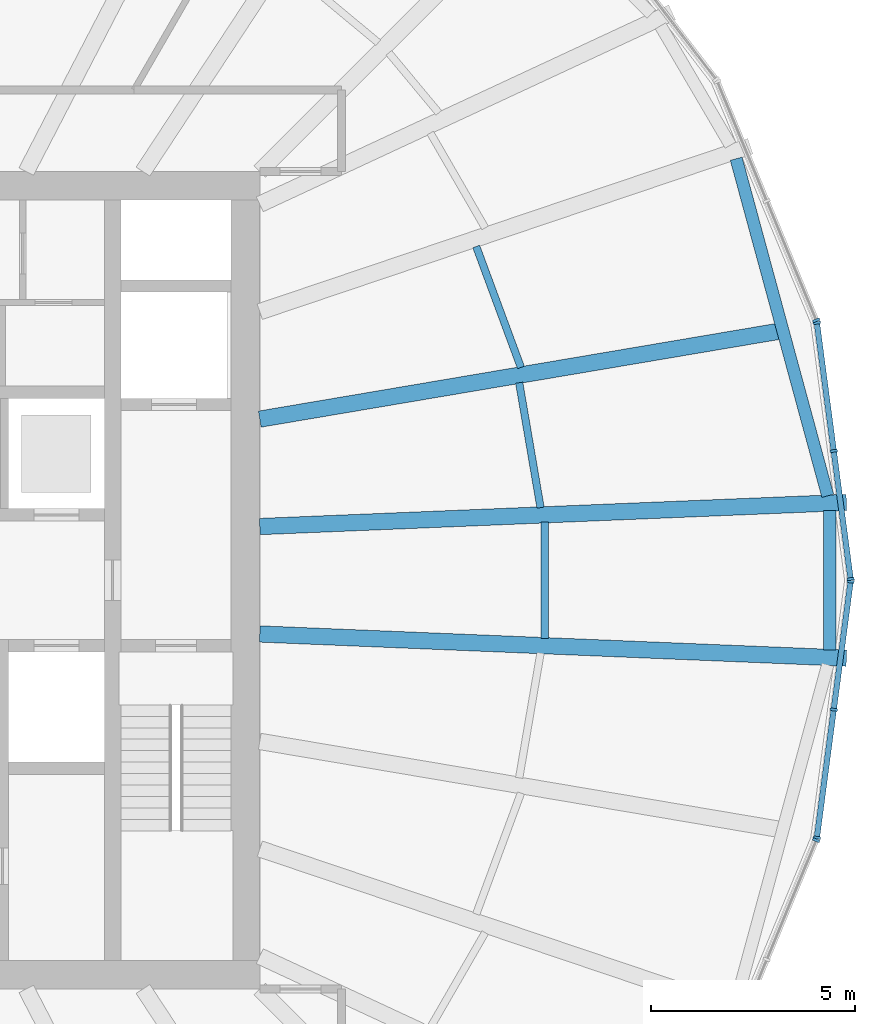
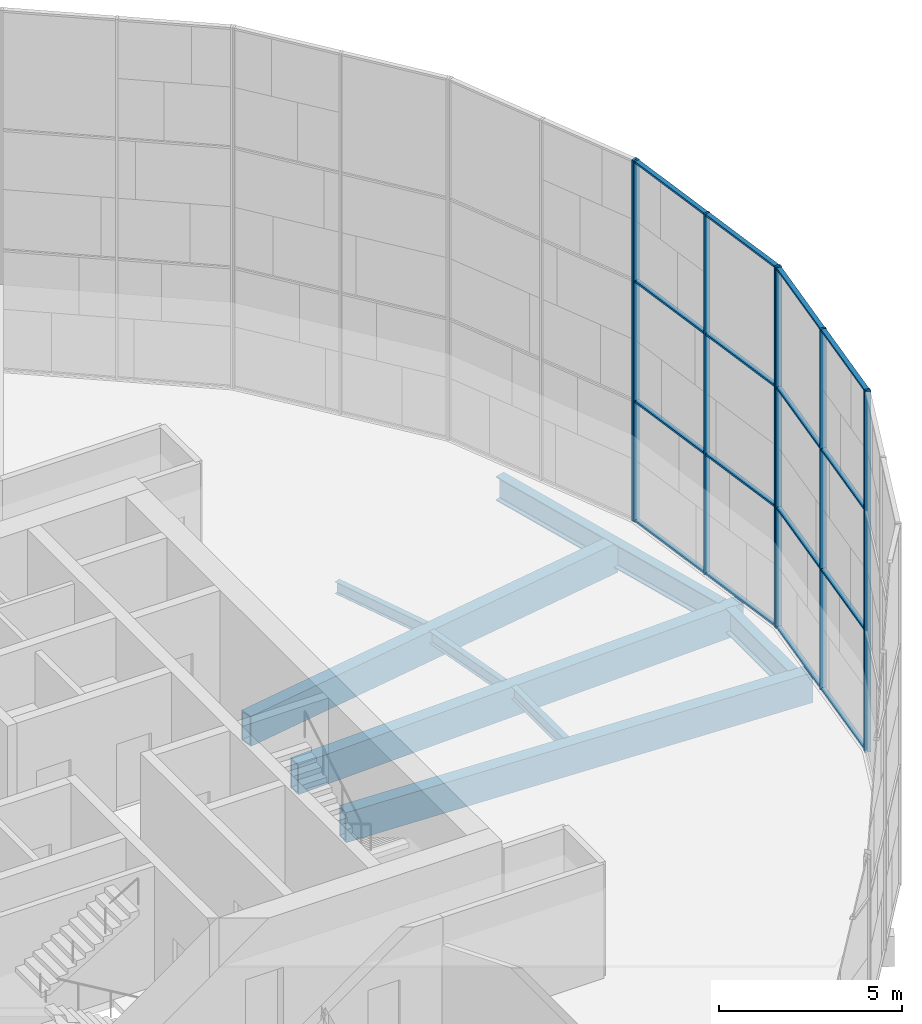
# One storey, part 5 of 22: 24 members, 8 beams, 4 elements without a shape of their own.
"""IFC4 building model written with IfcOpenShell, lengths in metres."""

from ifc_helpers import new_model, si_unit, direction, frame, origin, origin_2d, place, context, subcontext, project, spatial, rectangle, hollow_rectangle, i_section, extrude, material, material_profile, profile_set, type_object, element, aggregate, save


model = new_model("IFC4")

# Units and contexts
model_context = context("Model", 3, precision=1e-05, world=origin(), true_north=direction((0.0, 1.0)))
body_context = subcontext(model_context, "Body", "Model", "MODEL_VIEW")
ifc_project = project(units=[si_unit("LENGTHUNIT", "METRE"), si_unit("AREAUNIT", "SQUARE_METRE"), si_unit("VOLUMEUNIT", "CUBIC_METRE"), si_unit("PLANEANGLEUNIT", "RADIAN"), si_unit("MASSUNIT", "GRAM", prefix="KILO")], contexts=[model_context])

# Site, building, storey
site_placement = place(None, origin())
site = spatial("IfcSite", under=ifc_project, at=site_placement, CompositionType="ELEMENT")
building_placement = place(site_placement, origin())
building = spatial("IfcBuilding", under=site, at=building_placement, Name="Golbaran Civic Tower", CompositionType="ELEMENT")
storey_placement = place(building_placement, frame((0.0, 0.0, 90.0)))
storey = spatial("IfcBuildingStorey", under=building, at=storey_placement, Name="L21", CompositionType="ELEMENT", Elevation=90.0)

# Beams
ifc_material_1 = material(Name="Steel S355", Category="steel")
ifc_material_profile_1 = material_profile(ifc_material_1, i_section(OverallWidth=0.300048828125, OverallDepth=0.800048828125, WebThickness=0.017578125, FlangeThickness=0.032958984375, FilletRadius=0.030029296875, at=origin_2d()), Name="HEB 800")
ifc_profile_set_1 = profile_set([ifc_material_profile_1], Name="Steel S355")
beam_type_1 = type_object("IfcBeamType", Name="EDGE BEAM HEB 800", PredefinedType="BEAM", material=ifc_profile_set_1)
beam_1_placement = place(storey_placement, frame((23.89892578125, 2.066650390625, -0.60009765625), z_axis=(-0.262164981127, 0.965023068466, 0.0), x_axis=(-0.965023068466, -0.262164981127, 0.0)))
element("IfcBeam", 1, at=beam_1_placement, inside=storey, type_object=beam_type_1, Name="Edge beam 4.42 L21", PredefinedType="BEAM", context=body_context, shape_type="SweptSolid", body=[
    extrude(i_section(OverallWidth=0.300048828125, OverallDepth=0.800048828125, WebThickness=0.017578125, FlangeThickness=0.032958984375, FilletRadius=0.030029296875, at=origin_2d()), origin(), (0.0, 0.0, 1.0), 8.546875),
])
beam_2_placement = place(storey_placement, frame((23.947265625, -1.708251953125, -0.60009765625), z_axis=(0.0, 1.0, 0.0), x_axis=(-1.0, 0.0, 0.0)))
element("IfcBeam", 2, at=beam_2_placement, inside=storey, type_object=beam_type_1, Name="Edge beam 355.58 L21", PredefinedType="BEAM", context=body_context, shape_type="SweptSolid", body=[
    extrude(i_section(OverallWidth=0.300048828125, OverallDepth=0.800048828125, WebThickness=0.017578125, FlangeThickness=0.032958984375, FilletRadius=0.030029296875, at=origin_2d()), origin(), (0.0, 0.0, 1.0), 3.41650390625),
])
ifc_material_profile_2 = material_profile(ifc_material_1, i_section(OverallWidth=0.179931640625, OverallDepth=0.39990234375, WebThickness=0.008544921875, FlangeThickness=0.013427734375, FilletRadius=0.02099609375, at=origin_2d()), Name="IPE 400")
ifc_profile_set_2 = profile_set([ifc_material_profile_2], Name="Steel S355")
beam_type_2 = type_object("IfcBeamType", Name="FLOOR INFILL BEAM IPE 400", PredefinedType="BEAM", material=ifc_profile_set_2)
beam_3_placement = place(storey_placement, frame((16.871337890625, 1.77734375, -0.39990234375), z_axis=(-0.168673252572, 0.985672021449, 0.0), x_axis=(-0.985672021449, -0.168673252572, 0.0)))
element("IfcBeam", 3, at=beam_3_placement, inside=storey, type_object=beam_type_2, Name="Infill beam 9.71 L21", PredefinedType="BEAM", context=body_context, shape_type="SweptSolid", body=[
    extrude(i_section(OverallWidth=0.179931640625, OverallDepth=0.39990234375, WebThickness=0.008544921875, FlangeThickness=0.013427734375, FilletRadius=0.02099609375, at=origin_2d()), origin(), (0.0, 0.0, 1.0), 3.101806640625),
])
beam_4_placement = place(storey_placement, frame((16.391357421875, 5.207275390625, -0.39990234375), z_axis=(-0.346755155412, 0.937955682426, 0.0), x_axis=(-0.937955682426, -0.346755155412, 0.0)))
element("IfcBeam", 4, at=beam_4_placement, inside=storey, type_object=beam_type_2, Name="Infill beam 20.29 L21", PredefinedType="BEAM", context=body_context, shape_type="SweptSolid", body=[
    extrude(i_section(OverallWidth=0.179931640625, OverallDepth=0.39990234375, WebThickness=0.008544921875, FlangeThickness=0.013427734375, FilletRadius=0.02099609375, at=origin_2d()), origin(), (0.0, 0.0, 1.0), 3.156982421875),
])
beam_5_placement = place(storey_placement, frame((16.9736328125, -1.421142578125, -0.39990234375), z_axis=(0.0, 1.0, 0.0), x_axis=(-1.0, 0.0, 0.0)))
element("IfcBeam", 5, at=beam_5_placement, inside=storey, type_object=beam_type_2, Name="Infill beam 0.00 L21", PredefinedType="BEAM", context=body_context, shape_type="SweptSolid", body=[
    extrude(i_section(OverallWidth=0.179931640625, OverallDepth=0.39990234375, WebThickness=0.008544921875, FlangeThickness=0.013427734375, FilletRadius=0.02099609375, at=origin_2d()), origin(), (0.0, 0.0, 1.0), 2.84228515625),
])

# Curtain wall, members
ifc_material_2 = material(Name="Aluminium and glass", Category="aluminium")
curtain_wall_type = type_object("IfcCurtainWallType", Name="INNER SKIN CURTAIN WALL", PredefinedType="NOTDEFINED", material=ifc_material_2)
curtain_wall_1_placement = place(storey_placement, origin())
curtain_wall_1 = element("IfcCurtainWall", 6, at=curtain_wall_1_placement, inside=storey, type_object=curtain_wall_type, Name="Inner skin L21 facet 1 CW1", ObjectType="INNER SKIN", PredefinedType="USERDEFINED")
ifc_material_3 = material(Name="Aluminium", Category="aluminium")
ifc_material_profile_3 = material_profile(ifc_material_3, rectangle(XDim=0.179931640625, YDim=0.06494140625, at=origin_2d()), Name="INNER SKIN CURTAIN WALL MULLION")
ifc_profile_set_3 = profile_set([ifc_material_profile_3], Name="Aluminium")
member_type_1 = type_object("IfcMemberType", Name="INNER SKIN CURTAIN WALL MULLION", PredefinedType="MULLION", material=ifc_profile_set_3)
member_1_placement = place(storey_placement, frame((24.456787109375, 0.0322265625, 0.0), z_axis=(0.0, 0.0, 1.0), x_axis=(-0.991444861376, -0.130526192203, 0.0)))
member_1 = element("IfcMember", 7, at=member_1_placement, type_object=member_type_1, Name="CW1 mullion 1", PredefinedType="MULLION", context=body_context, shape_type="SweptSolid", body=[
    extrude(rectangle(XDim=0.179931640625, YDim=0.06494140625, at=origin_2d()), origin(), (0.0, 0.0, 1.0), 12.0),
])
member_2_placement = place(storey_placement, frame((24.044189453125, 3.16552734375, 0.0), z_axis=(0.0, 0.0, 1.0), x_axis=(-0.991444861376, -0.130526192203, 0.0)))
member_2 = element("IfcMember", 8, at=member_2_placement, type_object=member_type_1, Name="CW1 mullion 2", PredefinedType="MULLION", context=body_context, shape_type="SweptSolid", body=[
    extrude(rectangle(XDim=0.179931640625, YDim=0.06494140625, at=origin_2d()), origin(), (0.0, 0.0, 1.0), 12.0),
])
member_3_placement = place(storey_placement, frame((23.6318359375, 6.298828125, 0.0), z_axis=(0.0, 0.0, 1.0), x_axis=(-0.991444861376, -0.130526192203, 0.0)))
member_3 = element("IfcMember", 9, at=member_3_placement, type_object=member_type_1, Name="CW1 mullion 3", PredefinedType="MULLION", context=body_context, shape_type="SweptSolid", body=[
    extrude(rectangle(XDim=0.179931640625, YDim=0.06494140625, at=origin_2d()), origin(), (0.0, 0.0, 1.0), 12.0),
])

# Curtain wall, member
curtain_wall_2_placement = place(storey_placement, origin())
curtain_wall_2 = element("IfcCurtainWall", 10, at=curtain_wall_2_placement, inside=storey, type_object=curtain_wall_type, Name="Inner skin L21 facet 2 CW1", ObjectType="INNER SKIN", PredefinedType="USERDEFINED")
member_4_placement = place(storey_placement, frame((23.614990234375, 6.361083984375, 0.0), z_axis=(0.0, 0.0, 1.0), x_axis=(-0.923879532511, -0.382683432365, 0.0)))
member_4 = element("IfcMember", 11, at=member_4_placement, type_object=member_type_1, Name="CW1 mullion 1", PredefinedType="MULLION", context=body_context, shape_type="SweptSolid", body=[
    extrude(rectangle(XDim=0.179931640625, YDim=0.06494140625, at=origin_2d()), origin(), (0.0, 0.0, 1.0), 12.0),
])
aggregate(curtain_wall_2, [member_4])

curtain_wall_3_placement = place(storey_placement, origin())
curtain_wall_3 = element("IfcCurtainWall", 12, at=curtain_wall_3_placement, inside=storey, type_object=curtain_wall_type, Name="Inner skin L21 facet 23 CW1", ObjectType="INNER SKIN", PredefinedType="USERDEFINED")
member_5_placement = place(storey_placement, frame((23.614990234375, -6.361083984375, 0.0), z_axis=(0.0, 0.0, 1.0), x_axis=(-0.923879532511, 0.382683432365, 0.0)))
member_5 = element("IfcMember", 13, at=member_5_placement, type_object=member_type_1, Name="CW1 mullion 3", PredefinedType="MULLION", context=body_context, shape_type="SweptSolid", body=[
    extrude(rectangle(XDim=0.179931640625, YDim=0.06494140625, at=origin_2d()), origin(), (0.0, 0.0, 1.0), 12.0),
])
aggregate(curtain_wall_3, [member_5])

# Curtain wall, members
curtain_wall_4_placement = place(storey_placement, origin())
curtain_wall_4 = element("IfcCurtainWall", 14, at=curtain_wall_4_placement, inside=storey, type_object=curtain_wall_type, Name="Inner skin L21 facet 24 CW1", ObjectType="INNER SKIN", PredefinedType="USERDEFINED")
member_6_placement = place(storey_placement, frame((23.6318359375, -6.298828125, 0.0), z_axis=(0.0, 0.0, 1.0), x_axis=(-0.991444861376, 0.130526192203, 0.0)))
member_6 = element("IfcMember", 15, at=member_6_placement, type_object=member_type_1, Name="CW1 mullion 1", PredefinedType="MULLION", context=body_context, shape_type="SweptSolid", body=[
    extrude(rectangle(XDim=0.179931640625, YDim=0.06494140625, at=origin_2d()), origin(), (0.0, 0.0, 1.0), 12.0),
])
member_7_placement = place(storey_placement, frame((24.044189453125, -3.16552734375, 0.0), z_axis=(0.0, 0.0, 1.0), x_axis=(-0.991444861376, 0.130526192203, 0.0)))
member_7 = element("IfcMember", 16, at=member_7_placement, type_object=member_type_1, Name="CW1 mullion 2", PredefinedType="MULLION", context=body_context, shape_type="SweptSolid", body=[
    extrude(rectangle(XDim=0.179931640625, YDim=0.06494140625, at=origin_2d()), origin(), (0.0, 0.0, 1.0), 12.0),
])
member_8_placement = place(storey_placement, frame((24.456787109375, -0.0322265625, 0.0), z_axis=(0.0, 0.0, 1.0), x_axis=(-0.991444861376, 0.130526192203, 0.0)))
member_8 = element("IfcMember", 17, at=member_8_placement, type_object=member_type_1, Name="CW1 mullion 3", PredefinedType="MULLION", context=body_context, shape_type="SweptSolid", body=[
    extrude(rectangle(XDim=0.179931640625, YDim=0.06494140625, at=origin_2d()), origin(), (0.0, 0.0, 1.0), 12.0),
])

# Member
ifc_material_profile_4 = material_profile(ifc_material_3, rectangle(XDim=0.139892578125, YDim=0.06494140625, at=origin_2d()), Name="INNER SKIN CURTAIN WALL TRANSOM")
ifc_profile_set_4 = profile_set([ifc_material_profile_4], Name="Aluminium")
member_type_2 = type_object("IfcMemberType", Name="INNER SKIN CURTAIN WALL TRANSOM", PredefinedType="USERDEFINED", material=ifc_profile_set_4)
member_9_placement = place(storey_placement, frame((24.45263671875, 0.064453125, 0.032470703125), z_axis=(-0.130536124221, 0.99144355375, 0.0), x_axis=(-0.99144355375, -0.130536124221, 0.0)))
member_9 = element("IfcMember", 18, at=member_9_placement, type_object=member_type_2, Name="CW1 transom 1.1", ObjectType="TRANSOM", PredefinedType="USERDEFINED", context=body_context, shape_type="SweptSolid", body=[
    extrude(rectangle(XDim=0.139892578125, YDim=0.06494140625, at=origin_2d()), origin(), (0.0, 0.0, 1.0), 3.09521484375),
])

member_10_placement = place(storey_placement, frame((24.45263671875, 0.064453125, 4.0), z_axis=(-0.130536124221, 0.99144355375, 0.0), x_axis=(-0.99144355375, -0.130536124221, 0.0)))
member_10 = element("IfcMember", 19, at=member_10_placement, type_object=member_type_2, Name="CW1 transom 1.2", ObjectType="TRANSOM", PredefinedType="USERDEFINED", context=body_context, shape_type="SweptSolid", body=[
    extrude(rectangle(XDim=0.139892578125, YDim=0.06494140625, at=origin_2d()), origin(), (0.0, 0.0, 1.0), 3.09521484375),
])

member_11_placement = place(storey_placement, frame((24.45263671875, 0.064453125, 8.0), z_axis=(-0.130536124221, 0.99144355375, 0.0), x_axis=(-0.99144355375, -0.130536124221, 0.0)))
member_11 = element("IfcMember", 20, at=member_11_placement, type_object=member_type_2, Name="CW1 transom 1.3", ObjectType="TRANSOM", PredefinedType="USERDEFINED", context=body_context, shape_type="SweptSolid", body=[
    extrude(rectangle(XDim=0.139892578125, YDim=0.06494140625, at=origin_2d()), origin(), (0.0, 0.0, 1.0), 3.09521484375),
])

member_12_placement = place(storey_placement, frame((24.45263671875, 0.064453125, 11.967529296875), z_axis=(-0.130536124221, 0.99144355375, 0.0), x_axis=(-0.99144355375, -0.130536124221, 0.0)))
member_12 = element("IfcMember", 21, at=member_12_placement, type_object=member_type_2, Name="CW1 transom 1.4", ObjectType="TRANSOM", PredefinedType="USERDEFINED", context=body_context, shape_type="SweptSolid", body=[
    extrude(rectangle(XDim=0.139892578125, YDim=0.06494140625, at=origin_2d()), origin(), (0.0, 0.0, 1.0), 3.09521484375),
])

member_13_placement = place(storey_placement, frame((24.0400390625, 3.19775390625, 0.032470703125), z_axis=(-0.130536124221, 0.99144355375, 0.0), x_axis=(-0.99144355375, -0.130536124221, 0.0)))
member_13 = element("IfcMember", 22, at=member_13_placement, type_object=member_type_2, Name="CW1 transom 2.1", ObjectType="TRANSOM", PredefinedType="USERDEFINED", context=body_context, shape_type="SweptSolid", body=[
    extrude(rectangle(XDim=0.139892578125, YDim=0.06494140625, at=origin_2d()), origin(), (0.0, 0.0, 1.0), 3.09521484375),
])

member_14_placement = place(storey_placement, frame((24.0400390625, 3.19775390625, 4.0), z_axis=(-0.130536124221, 0.99144355375, 0.0), x_axis=(-0.99144355375, -0.130536124221, 0.0)))
member_14 = element("IfcMember", 23, at=member_14_placement, type_object=member_type_2, Name="CW1 transom 2.2", ObjectType="TRANSOM", PredefinedType="USERDEFINED", context=body_context, shape_type="SweptSolid", body=[
    extrude(rectangle(XDim=0.139892578125, YDim=0.06494140625, at=origin_2d()), origin(), (0.0, 0.0, 1.0), 3.09521484375),
])

member_15_placement = place(storey_placement, frame((24.0400390625, 3.19775390625, 8.0), z_axis=(-0.130536124221, 0.99144355375, 0.0), x_axis=(-0.99144355375, -0.130536124221, 0.0)))
member_15 = element("IfcMember", 24, at=member_15_placement, type_object=member_type_2, Name="CW1 transom 2.3", ObjectType="TRANSOM", PredefinedType="USERDEFINED", context=body_context, shape_type="SweptSolid", body=[
    extrude(rectangle(XDim=0.139892578125, YDim=0.06494140625, at=origin_2d()), origin(), (0.0, 0.0, 1.0), 3.09521484375),
])

member_16_placement = place(storey_placement, frame((24.0400390625, 3.19775390625, 11.967529296875), z_axis=(-0.130536124221, 0.99144355375, 0.0), x_axis=(-0.99144355375, -0.130536124221, 0.0)))
member_16 = element("IfcMember", 25, at=member_16_placement, type_object=member_type_2, Name="CW1 transom 2.4", ObjectType="TRANSOM", PredefinedType="USERDEFINED", context=body_context, shape_type="SweptSolid", body=[
    extrude(rectangle(XDim=0.139892578125, YDim=0.06494140625, at=origin_2d()), origin(), (0.0, 0.0, 1.0), 3.09521484375),
])

aggregate(curtain_wall_1, [member_1, member_2, member_3, member_9, member_10, member_11, member_12, member_13, member_14, member_15, member_16])

member_17_placement = place(storey_placement, frame((23.635986328125, -6.2666015625, 0.032470703125), z_axis=(0.130536124221, 0.99144355375, 0.0), x_axis=(-0.99144355375, 0.130536124221, 0.0)))
member_17 = element("IfcMember", 26, at=member_17_placement, type_object=member_type_2, Name="CW1 transom 1.1", ObjectType="TRANSOM", PredefinedType="USERDEFINED", context=body_context, shape_type="SweptSolid", body=[
    extrude(rectangle(XDim=0.139892578125, YDim=0.06494140625, at=origin_2d()), origin(), (0.0, 0.0, 1.0), 3.09521484375),
])

member_18_placement = place(storey_placement, frame((23.635986328125, -6.2666015625, 4.0), z_axis=(0.130536124221, 0.99144355375, 0.0), x_axis=(-0.99144355375, 0.130536124221, 0.0)))
member_18 = element("IfcMember", 27, at=member_18_placement, type_object=member_type_2, Name="CW1 transom 1.2", ObjectType="TRANSOM", PredefinedType="USERDEFINED", context=body_context, shape_type="SweptSolid", body=[
    extrude(rectangle(XDim=0.139892578125, YDim=0.06494140625, at=origin_2d()), origin(), (0.0, 0.0, 1.0), 3.09521484375),
])

member_19_placement = place(storey_placement, frame((23.635986328125, -6.2666015625, 8.0), z_axis=(0.130536124221, 0.99144355375, 0.0), x_axis=(-0.99144355375, 0.130536124221, 0.0)))
member_19 = element("IfcMember", 28, at=member_19_placement, type_object=member_type_2, Name="CW1 transom 1.3", ObjectType="TRANSOM", PredefinedType="USERDEFINED", context=body_context, shape_type="SweptSolid", body=[
    extrude(rectangle(XDim=0.139892578125, YDim=0.06494140625, at=origin_2d()), origin(), (0.0, 0.0, 1.0), 3.09521484375),
])

member_20_placement = place(storey_placement, frame((23.635986328125, -6.2666015625, 11.967529296875), z_axis=(0.130536124221, 0.99144355375, 0.0), x_axis=(-0.99144355375, 0.130536124221, 0.0)))
member_20 = element("IfcMember", 29, at=member_20_placement, type_object=member_type_2, Name="CW1 transom 1.4", ObjectType="TRANSOM", PredefinedType="USERDEFINED", context=body_context, shape_type="SweptSolid", body=[
    extrude(rectangle(XDim=0.139892578125, YDim=0.06494140625, at=origin_2d()), origin(), (0.0, 0.0, 1.0), 3.09521484375),
])

member_21_placement = place(storey_placement, frame((24.048583984375, -3.13330078125, 0.032470703125), z_axis=(0.130536124221, 0.99144355375, 0.0), x_axis=(-0.99144355375, 0.130536124221, 0.0)))
member_21 = element("IfcMember", 30, at=member_21_placement, type_object=member_type_2, Name="CW1 transom 2.1", ObjectType="TRANSOM", PredefinedType="USERDEFINED", context=body_context, shape_type="SweptSolid", body=[
    extrude(rectangle(XDim=0.139892578125, YDim=0.06494140625, at=origin_2d()), origin(), (0.0, 0.0, 1.0), 3.09521484375),
])

member_22_placement = place(storey_placement, frame((24.048583984375, -3.13330078125, 4.0), z_axis=(0.130536124221, 0.99144355375, 0.0), x_axis=(-0.99144355375, 0.130536124221, 0.0)))
member_22 = element("IfcMember", 31, at=member_22_placement, type_object=member_type_2, Name="CW1 transom 2.2", ObjectType="TRANSOM", PredefinedType="USERDEFINED", context=body_context, shape_type="SweptSolid", body=[
    extrude(rectangle(XDim=0.139892578125, YDim=0.06494140625, at=origin_2d()), origin(), (0.0, 0.0, 1.0), 3.09521484375),
])

member_23_placement = place(storey_placement, frame((24.048583984375, -3.13330078125, 8.0), z_axis=(0.130536124221, 0.99144355375, 0.0), x_axis=(-0.99144355375, 0.130536124221, 0.0)))
member_23 = element("IfcMember", 32, at=member_23_placement, type_object=member_type_2, Name="CW1 transom 2.3", ObjectType="TRANSOM", PredefinedType="USERDEFINED", context=body_context, shape_type="SweptSolid", body=[
    extrude(rectangle(XDim=0.139892578125, YDim=0.06494140625, at=origin_2d()), origin(), (0.0, 0.0, 1.0), 3.09521484375),
])

member_24_placement = place(storey_placement, frame((24.048583984375, -3.13330078125, 11.967529296875), z_axis=(0.130536124221, 0.99144355375, 0.0), x_axis=(-0.99144355375, 0.130536124221, 0.0)))
member_24 = element("IfcMember", 33, at=member_24_placement, type_object=member_type_2, Name="CW1 transom 2.4", ObjectType="TRANSOM", PredefinedType="USERDEFINED", context=body_context, shape_type="SweptSolid", body=[
    extrude(rectangle(XDim=0.139892578125, YDim=0.06494140625, at=origin_2d()), origin(), (0.0, 0.0, 1.0), 3.09521484375),
])

aggregate(curtain_wall_4, [member_6, member_7, member_8, member_17, member_18, member_19, member_20, member_21, member_22, member_23, member_24])

# Beams
ifc_material_profile_5 = material_profile(ifc_material_1, hollow_rectangle(XDim=0.39990234375, YDim=1.0, WallThickness=0.050048828125, at=origin_2d()), Name="BOX 1000x400x50")
ifc_profile_set_5 = profile_set([ifc_material_profile_5], Name="Steel S355")
beam_type_3 = type_object("IfcBeamType", Name="RADIAL FLOOR BEAM BOX 1000x400x50", PredefinedType="BEAM", material=ifc_profile_set_5)
for number, where, z_axis, x_axis, name in (
    (34, (10.0, 1.314208984375, -0.7099609375), (0.99915350641, 0.041137217085, 0.0), (-0.041137217085, 0.99915350641, 0.0), "Radial beam 4.42 L21"),
    (35, (10.0, -1.314208984375, -0.7099609375), (0.99915350641, -0.041137217085, 0.0), (0.041137217085, 0.99915350641, 0.0), "Radial beam 355.58 L21"),
):
    element("IfcBeam", number, at=place(storey_placement, frame(where, z_axis=z_axis, x_axis=x_axis)), inside=storey, type_object=beam_type_3, Name=name, PredefinedType="BEAM", context=body_context, shape_type="SweptSolid", body=[
        extrude(hollow_rectangle(XDim=0.39990234375, YDim=1.0, WallThickness=0.050048828125, at=origin_2d()), origin(), (0.0, 0.0, 1.0), 14.3681640625),
    ])
ifc_material_profile_6 = material_profile(ifc_material_1, hollow_rectangle(XDim=0.39990234375, YDim=1.0, WallThickness=0.0400390625, at=origin_2d()), Name="BOX 1000x400x40")
ifc_profile_set_6 = profile_set([ifc_material_profile_6], Name="Steel S355")
beam_type_4 = type_object("IfcBeamType", Name="SECONDARY FLOOR BEAM BOX 1000x400x40", PredefinedType="BEAM", material=ifc_profile_set_6)
beam_6_placement = place(storey_placement, frame((10.0, 3.94287109375, -0.7099609375), z_axis=(0.985977601057, 0.166877710358, 0.0), x_axis=(-0.166877710358, 0.985977601057, 0.0)))
element("IfcBeam", 36, at=beam_6_placement, inside=storey, type_object=beam_type_4, Name="Secondary beam 15.00 L21", PredefinedType="BEAM", context=body_context, shape_type="SweptSolid", body=[
    extrude(hollow_rectangle(XDim=0.39990234375, YDim=1.0, WallThickness=0.0400390625, at=origin_2d()), origin(), (0.0, 0.0, 1.0), 12.982666015625),
])

save(model, "model.ifc")
